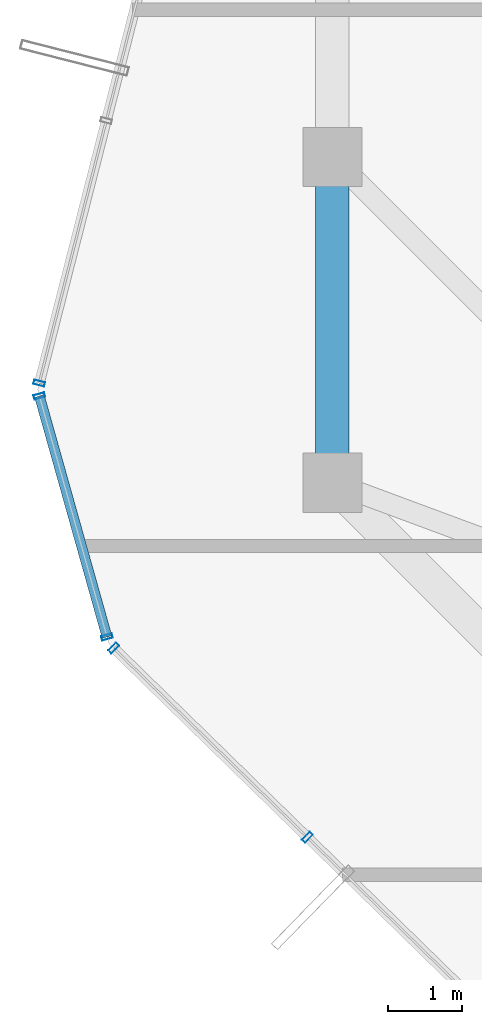
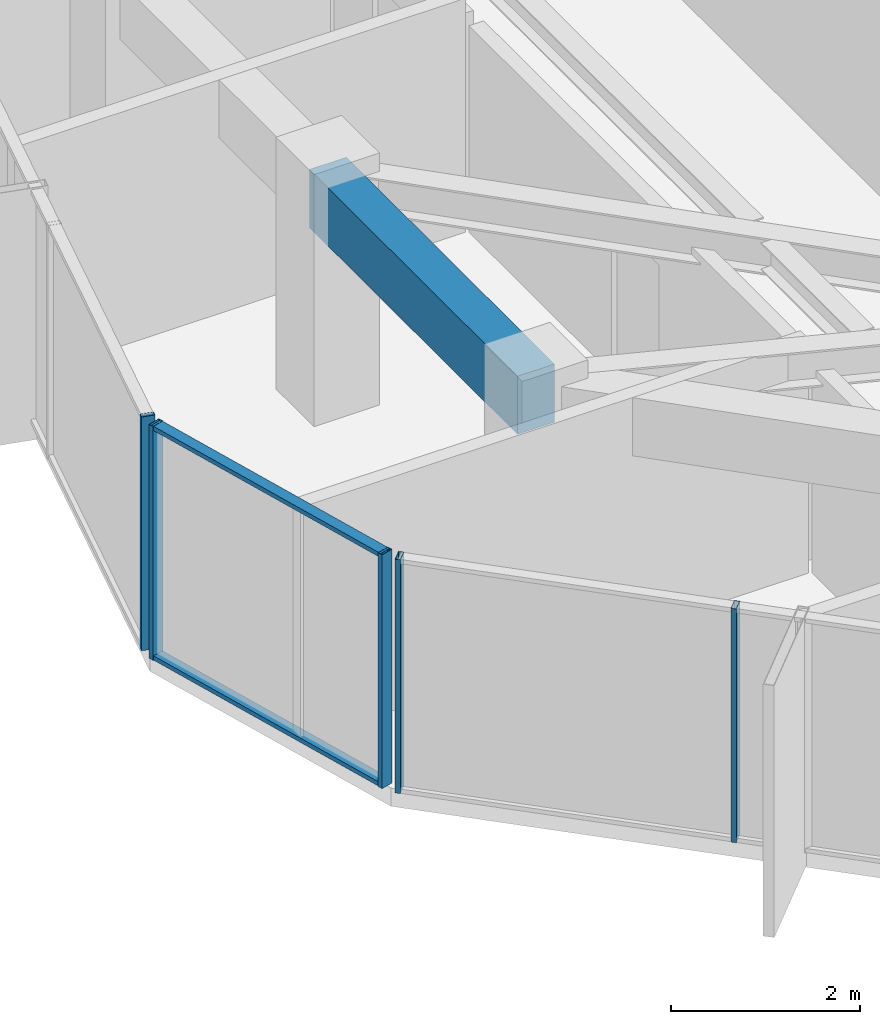
# One storey, part 6 of 29: 7 members, 1 beam, 3 elements without a shape of their own.
"""IFC4 building model written with IfcOpenShell, lengths in metres."""

from ifc_helpers import new_model, si_unit, direction, frame, origin, origin_2d, place, context, subcontext, project, spatial, rectangle, hollow_rectangle, extrude, source, transform, mapped, material, layer, layer_set, material_profile, profile_set, type_object, element, aggregate, save


model = new_model("IFC4")

# Units and contexts
model_context = context("Model", 3, precision=1e-05, world=origin(), true_north=direction((0.0, 1.0)))
body_context = subcontext(model_context, "Body", "Model", "MODEL_VIEW")
ifc_project = project(units=[si_unit("LENGTHUNIT", "METRE"), si_unit("AREAUNIT", "SQUARE_METRE"), si_unit("VOLUMEUNIT", "CUBIC_METRE"), si_unit("PLANEANGLEUNIT", "RADIAN"), si_unit("MASSUNIT", "GRAM", prefix="KILO")], contexts=[model_context])

# Site, building, storey
site_placement = place(None, origin())
site = spatial("IfcSite", under=ifc_project, at=site_placement, CompositionType="ELEMENT")
building_placement = place(site_placement, origin())
building = spatial("IfcBuilding", under=site, at=building_placement, Name="Veraguas Prism Commons", CompositionType="ELEMENT")
storey_placement = place(building_placement, frame((0.0, 0.0, 257.75)))
storey = spatial("IfcBuildingStorey", under=building, at=storey_placement, Name="L73", CompositionType="ELEMENT", Elevation=257.75)

# Beam
ifc_material_1 = material(Name="Concrete C50/60", Category="concrete")
ifc_material_profile_1 = material_profile(ifc_material_1, rectangle(XDim=0.449951171875, YDim=0.75, at=origin_2d()), Name="RC450X750")
ifc_profile_set_1 = profile_set([ifc_material_profile_1], Name="Concrete C50/60")
beam_type = type_object("IfcBeamType", Name="Perimeter Spandrel Upper RC 450x750", PredefinedType="SPANDREL", material=ifc_profile_set_1)
beam_placement = place(storey_placement, frame((10.199951171875, 24.0, 2.639892578125), z_axis=(0.0, -1.0, 0.0), x_axis=(1.0, 0.0, 0.0)))
element("IfcBeam", 1, at=beam_placement, inside=storey, type_object=beam_type, Name="Perimeter Spandrel Beam L73-SP08", PredefinedType="SPANDREL", context=body_context, shape_type="SweptSolid", body=[
    extrude(rectangle(XDim=0.449951171875, YDim=0.75, at=origin_2d()), origin(), (0.0, 0.0, 1.0), 4.39990234375),
])

# Curtain wall, member
ifc_material_2 = material(Name="Anodised aluminium EN AW-6063 T6", Category="aluminium")
ifc_layer = layer(ifc_material_2, 0.14990234375, Name="Unitised Flush Curtain Wall Zone 4", Category="aluminium")
ifc_layer_set = layer_set([ifc_layer], Name="Anodised aluminium EN AW-6063 T6")
curtain_wall_type = type_object("IfcCurtainWallType", Name="Unitised Flush Curtain Wall Zone 4", PredefinedType="NOTDEFINED", material=ifc_layer_set)
curtain_wall_1_placement = place(storey_placement, origin())
curtain_wall_1 = element("IfcCurtainWall", 2, at=curtain_wall_1_placement, inside=storey, type_object=curtain_wall_type, Name="Tower Facade Curtain Wall L73-F3", PredefinedType="NOTDEFINED")
ifc_material_profile_2 = material_profile(ifc_material_2, hollow_rectangle(XDim=0.06005859375, YDim=0.14990234375, WallThickness=0.0029296875, at=origin_2d()), Name="AL60X150X3")
ifc_profile_set_2 = profile_set([ifc_material_profile_2], Name="Anodised aluminium EN AW-6063 T6")
member_type_1 = type_object("IfcMemberType", Name="Curtain Wall Mullion Upper AL 60x150x3", PredefinedType="MULLION", material=ifc_profile_set_2)
shared_shape_1 = source(origin(), body_context, "Body", "SweptSolid", [
    extrude(hollow_rectangle(XDim=0.06005859375, YDim=0.14990234375, WallThickness=0.0029296875, at=origin_2d()), origin(), (0.0, 0.0, 1.0), 3.014892578125),
])
member_1_placement = place(storey_placement, frame((6.238037109375, 20.945068359375, 0.0), z_axis=(0.0, 0.0, 1.0), x_axis=(-0.247338939069, -0.968929021766, 0.0)))
member_1 = element("IfcMember", 3, at=member_1_placement, type_object=member_type_1, Name="CW-Z4 Mullion 5", PredefinedType="MULLION", context=body_context, shape_type="MappedRepresentation", body=[
    mapped(shared_shape_1, transform((0.0, 0.0, 0.0), scale=1.0)),
])
aggregate(curtain_wall_1, [member_1])

# Curtain wall, members
curtain_wall_2_placement = place(storey_placement, origin())
curtain_wall_2 = element("IfcCurtainWall", 4, at=curtain_wall_2_placement, inside=storey, type_object=curtain_wall_type, Name="Tower Facade Curtain Wall L73-F4", PredefinedType="NOTDEFINED")
member_2_placement = place(storey_placement, frame((7.242919921875, 17.365234375, 0.0), z_axis=(0.0, 0.0, 1.0), x_axis=(0.715447677779, -0.698666315462, 0.0)))
member_2 = element("IfcMember", 5, at=member_2_placement, type_object=member_type_1, Name="CW-Z4 Mullion 1", PredefinedType="MULLION", context=body_context, shape_type="MappedRepresentation", body=[
    mapped(shared_shape_1, transform((0.0, 0.0, 0.0), scale=1.0)),
])
member_3_placement = place(storey_placement, frame((9.862548828125, 14.806884765625, 0.0), z_axis=(0.0, 0.0, 1.0), x_axis=(0.715447677779, -0.698666315462, 0.0)))
member_3 = element("IfcMember", 6, at=member_3_placement, type_object=member_type_1, Name="CW-Z4 Mullion 2", PredefinedType="MULLION", context=body_context, shape_type="MappedRepresentation", body=[
    mapped(shared_shape_1, transform((0.0, 0.0, 0.0), scale=1.0)),
])
aggregate(curtain_wall_2, [member_2, member_3])

curtain_wall_3_placement = place(storey_placement, origin())
curtain_wall_3 = element("IfcCurtainWall", 7, at=curtain_wall_3_placement, inside=storey, type_object=curtain_wall_type, Name="Chamfer Curtain Wall L73-C4", PredefinedType="NOTDEFINED")
member_4_placement = place(storey_placement, frame((6.239990234375, 20.771240234375, 0.0), z_axis=(0.0, 0.0, 1.0), x_axis=(0.270274468942, -0.962783314894, 0.0)))
member_4 = element("IfcMember", 8, at=member_4_placement, type_object=member_type_1, Name="CW-Z4 Mullion 1", PredefinedType="MULLION", context=body_context, shape_type="MappedRepresentation", body=[
    mapped(shared_shape_1, transform((0.0, 0.0, 0.0), scale=1.0)),
])
member_5_placement = place(storey_placement, frame((7.154296875, 17.5146484375, 0.0), z_axis=(0.0, 0.0, 1.0), x_axis=(0.270274468942, -0.962783314894, 0.0)))
member_5 = element("IfcMember", 9, at=member_5_placement, type_object=member_type_1, Name="CW-Z4 Mullion 2", PredefinedType="MULLION", context=body_context, shape_type="MappedRepresentation", body=[
    mapped(shared_shape_1, transform((0.0, 0.0, 0.0), scale=1.0)),
])
ifc_material_profile_3 = material_profile(ifc_material_2, hollow_rectangle(XDim=0.054931640625, YDim=0.135009765625, WallThickness=0.0029296875, at=origin_2d()), Name="AL55X135X3")
ifc_profile_set_3 = profile_set([ifc_material_profile_3], Name="Anodised aluminium EN AW-6063 T6")
member_type_2 = type_object("IfcMemberType", Name="Curtain Wall Transom Standard AL 55x135x3", PredefinedType="USERDEFINED", material=ifc_profile_set_3)
shared_shape_2 = source(origin(), body_context, "Body", "SweptSolid", [
    extrude(hollow_rectangle(XDim=0.054931640625, YDim=0.135009765625, WallThickness=0.0029296875, at=origin_2d()), origin(), (0.0, 0.0, 1.0), 3.382568359375),
])
member_6_placement = place(storey_placement, frame((6.239990234375, 20.771240234375, 0.027587890625), z_axis=(0.270304514949, -0.962774879813, 0.0), x_axis=(0.0, 0.0, 1.0)))
member_6 = element("IfcMember", 10, at=member_6_placement, type_object=member_type_2, Name="CW-Z4 Transom 1", ObjectType="TRANSOM", PredefinedType="USERDEFINED", context=body_context, shape_type="MappedRepresentation", body=[
    mapped(shared_shape_2, transform((0.0, 0.0, 0.0), scale=1.0)),
])
member_7_placement = place(storey_placement, frame((6.239990234375, 20.771240234375, 2.987548828125), z_axis=(0.270304514949, -0.962774879813, 0.0), x_axis=(0.0, 0.0, 1.0)))
member_7 = element("IfcMember", 11, at=member_7_placement, type_object=member_type_2, Name="CW-Z4 Transom 2", ObjectType="TRANSOM", PredefinedType="USERDEFINED", context=body_context, shape_type="MappedRepresentation", body=[
    mapped(shared_shape_2, transform((0.0, 0.0, 0.0), scale=1.0)),
])
aggregate(curtain_wall_3, [member_4, member_5, member_6, member_7])

save(model, "model.ifc")
